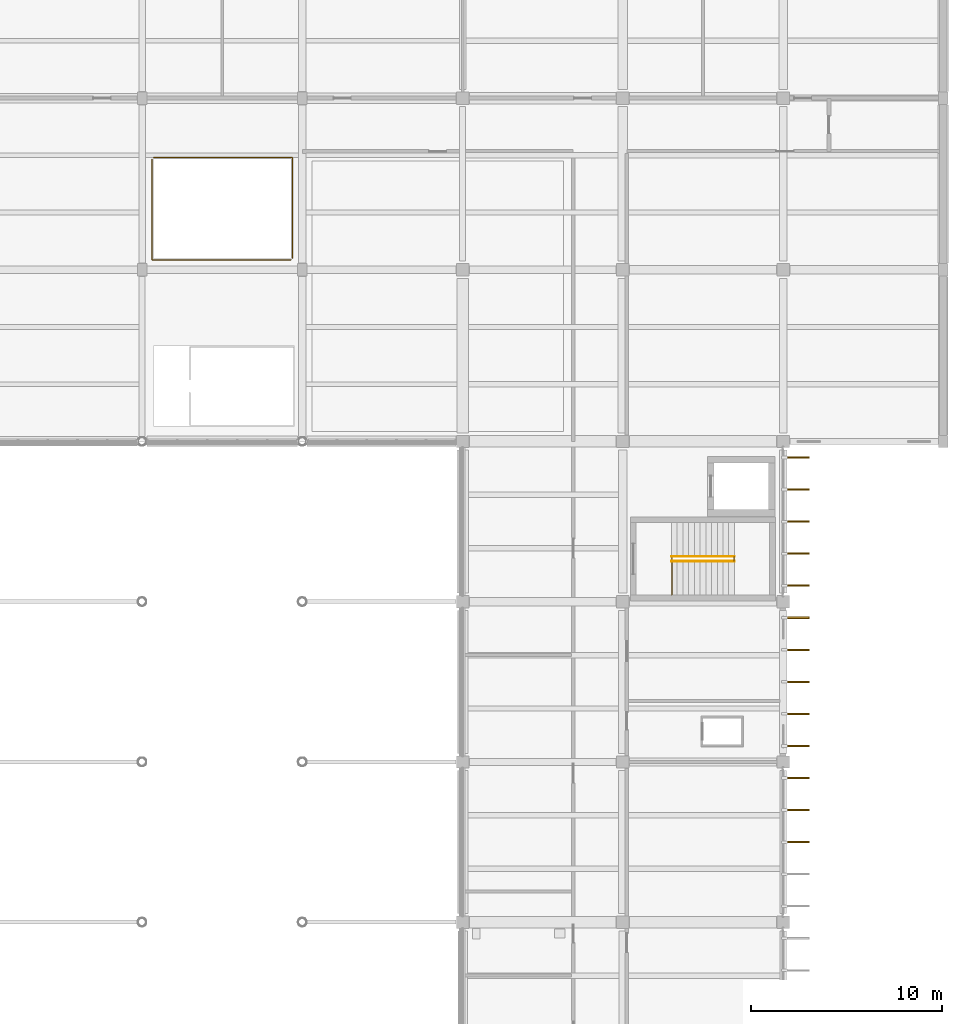
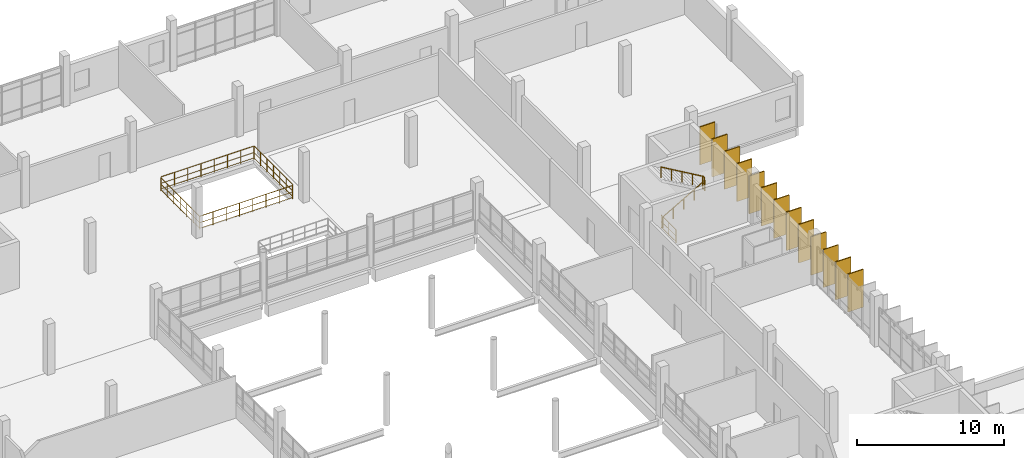
# One storey, part 99 of 101: 13 shading devices, 6 railings.
"""IFC4 building model written with IfcOpenShell, lengths in metres."""

from ifc_helpers import new_model, si_unit, direction, frame, origin, origin_2d, place, context, subcontext, project, spatial, rectangle, circle, extrude, material, material_profile, profile_set, type_object, element, save


model = new_model("IFC4")

# Units and contexts
model_context = context("Model", 3, precision=1e-05, world=origin(), true_north=direction((0.0, 1.0)))
body_context = subcontext(model_context, "Body", "Model", "MODEL_VIEW")
ifc_project = project(units=[si_unit("LENGTHUNIT", "METRE"), si_unit("AREAUNIT", "SQUARE_METRE"), si_unit("VOLUMEUNIT", "CUBIC_METRE"), si_unit("PLANEANGLEUNIT", "RADIAN"), si_unit("MASSUNIT", "GRAM", prefix="KILO")], contexts=[model_context])

# Site, building, storey
site_placement = place(None, origin())
site = spatial("IfcSite", under=ifc_project, at=site_placement, CompositionType="ELEMENT")
building_placement = place(site_placement, origin())
building = spatial("IfcBuilding", under=site, at=building_placement, Name="Vireocrest Preparatory School", CompositionType="ELEMENT")
storey_placement = place(building_placement, frame((0.0, 0.0, 4.800048828125)))
storey = spatial("IfcBuildingStorey", under=building, at=storey_placement, Name="L01", CompositionType="ELEMENT", Elevation=4.800048828125)

# Railings
ifc_material_1 = material(Name="Brushed stainless steel AISI 316", Category="steel")
railing_type_1 = type_object("IfcRailingType", Name="Post-and-Rail Guard Balustrade 1120", PredefinedType="BALUSTRADE", material=ifc_material_1)
railing_1_placement = place(storey_placement, frame((76.1201171875, 100.60009765625, 0.0)))
element("IfcRailing", 1, at=railing_1_placement, inside=storey, type_object=railing_type_1, Name="Terrace and Deck Guard Balustrade GR1 L01 WG_VOID_GUARD_SW", PredefinedType="BALUSTRADE", context=body_context, shape_type="SweptSolid", body=[
    extrude(circle(Radius=0.02392578125, at=origin_2d()), frame((0.0, 0.0, 1.09619140625), z_axis=(0.0, -1.0, 0.0), x_axis=(1.0, 0.0, 0.0)), (0.0, 0.0, 1.0), 5.280029296875),
    extrude(circle(Radius=0.01806640625, at=origin_2d()), frame((0.0, 0.0, 0.56005859375), z_axis=(0.0, -1.0, 0.0), x_axis=(1.0, 0.0, 0.0)), (0.0, 0.0, 1.0), 5.280029296875),
    extrude(circle(Radius=0.01806640625, at=origin_2d()), frame((0.0, 0.0, 0.10009765625), z_axis=(0.0, -1.0, 0.0), x_axis=(1.0, 0.0, 0.0)), (0.0, 0.0, 1.0), 5.280029296875),
    extrude(circle(Radius=0.02392578125, at=origin_2d()), frame((0.0, -5.280029296875, 1.09619140625), z_axis=(1.0, 0.0, 0.0), x_axis=(0.0, 1.0, 0.0)), (0.0, 0.0, 1.0), 7.27978515625),
    extrude(circle(Radius=0.01806640625, at=origin_2d()), frame((0.0, -5.280029296875, 0.56005859375), z_axis=(1.0, 0.0, 0.0), x_axis=(0.0, 1.0, 0.0)), (0.0, 0.0, 1.0), 7.27978515625),
    extrude(circle(Radius=0.01806640625, at=origin_2d()), frame((0.0, -5.280029296875, 0.10009765625), z_axis=(1.0, 0.0, 0.0), x_axis=(0.0, 1.0, 0.0)), (0.0, 0.0, 1.0), 7.27978515625),
    extrude(circle(Radius=0.02099609375, at=origin_2d()), origin(), (0.0, 0.0, 1.0), 1.072021484375),
    extrude(circle(Radius=0.02099609375, at=origin_2d()), frame((0.0, -0.8798828125, 0.0)), (0.0, 0.0, 1.0), 1.072021484375),
    extrude(circle(Radius=0.02099609375, at=origin_2d()), frame((0.0, -1.760009765625, 0.0)), (0.0, 0.0, 1.0), 1.072021484375),
    extrude(circle(Radius=0.02099609375, at=origin_2d()), frame((0.0, -2.64013671875, 0.0)), (0.0, 0.0, 1.0), 1.072021484375),
    extrude(circle(Radius=0.02099609375, at=origin_2d()), frame((0.0, -3.52001953125, 0.0)), (0.0, 0.0, 1.0), 1.072021484375),
    extrude(circle(Radius=0.02099609375, at=origin_2d()), frame((0.0, -4.39990234375, 0.0)), (0.0, 0.0, 1.0), 1.072021484375),
    extrude(circle(Radius=0.02099609375, at=origin_2d()), frame((0.0, -5.280029296875, 0.0)), (0.0, 0.0, 1.0), 1.072021484375),
    extrude(circle(Radius=0.02099609375, at=origin_2d()), frame((1.0400390625, -5.280029296875, 0.0)), (0.0, 0.0, 1.0), 1.072021484375),
    extrude(circle(Radius=0.02099609375, at=origin_2d()), frame((2.079833984375, -5.280029296875, 0.0)), (0.0, 0.0, 1.0), 1.072021484375),
    extrude(circle(Radius=0.02099609375, at=origin_2d()), frame((3.119873046875, -5.280029296875, 0.0)), (0.0, 0.0, 1.0), 1.072021484375),
    extrude(circle(Radius=0.02099609375, at=origin_2d()), frame((4.159912109375, -5.280029296875, 0.0)), (0.0, 0.0, 1.0), 1.072021484375),
    extrude(circle(Radius=0.02099609375, at=origin_2d()), frame((5.199951171875, -5.280029296875, 0.0)), (0.0, 0.0, 1.0), 1.072021484375),
    extrude(circle(Radius=0.02099609375, at=origin_2d()), frame((6.23974609375, -5.280029296875, 0.0)), (0.0, 0.0, 1.0), 1.072021484375),
    extrude(circle(Radius=0.02099609375, at=origin_2d()), frame((7.27978515625, -5.280029296875, 0.0)), (0.0, 0.0, 1.0), 1.072021484375),
])
railing_2_placement = place(storey_placement, frame((83.47998046875, 95.39990234375, 0.0)))
element("IfcRailing", 2, at=railing_2_placement, inside=storey, type_object=railing_type_1, Name="Terrace and Deck Guard Balustrade GR1 L01 WG_VOID_GUARD_NE", PredefinedType="BALUSTRADE", context=body_context, shape_type="SweptSolid", body=[
    extrude(circle(Radius=0.02392578125, at=origin_2d()), frame((0.0, 0.0, 1.09619140625), z_axis=(0.0, 1.0, 0.0), x_axis=(-1.0, 0.0, 0.0)), (0.0, 0.0, 1.0), 5.280029296875),
    extrude(circle(Radius=0.01806640625, at=origin_2d()), frame((0.0, 0.0, 0.56005859375), z_axis=(0.0, 1.0, 0.0), x_axis=(-1.0, 0.0, 0.0)), (0.0, 0.0, 1.0), 5.280029296875),
    extrude(circle(Radius=0.01806640625, at=origin_2d()), frame((0.0, 0.0, 0.10009765625), z_axis=(0.0, 1.0, 0.0), x_axis=(-1.0, 0.0, 0.0)), (0.0, 0.0, 1.0), 5.280029296875),
    extrude(circle(Radius=0.02392578125, at=origin_2d()), frame((0.0, 5.280029296875, 1.09619140625), z_axis=(-1.0, 0.0, 0.0), x_axis=(0.0, -1.0, 0.0)), (0.0, 0.0, 1.0), 7.280029296875),
    extrude(circle(Radius=0.01806640625, at=origin_2d()), frame((0.0, 5.280029296875, 0.56005859375), z_axis=(-1.0, 0.0, 0.0), x_axis=(0.0, -1.0, 0.0)), (0.0, 0.0, 1.0), 7.280029296875),
    extrude(circle(Radius=0.01806640625, at=origin_2d()), frame((0.0, 5.280029296875, 0.10009765625), z_axis=(-1.0, 0.0, 0.0), x_axis=(0.0, -1.0, 0.0)), (0.0, 0.0, 1.0), 7.280029296875),
    extrude(circle(Radius=0.02099609375, at=origin_2d()), origin(), (0.0, 0.0, 1.0), 1.072021484375),
    extrude(circle(Radius=0.02099609375, at=origin_2d()), frame((0.0, 0.8798828125, 0.0)), (0.0, 0.0, 1.0), 1.072021484375),
    extrude(circle(Radius=0.02099609375, at=origin_2d()), frame((0.0, 1.760009765625, 0.0)), (0.0, 0.0, 1.0), 1.072021484375),
    extrude(circle(Radius=0.02099609375, at=origin_2d()), frame((0.0, 2.64013671875, 0.0)), (0.0, 0.0, 1.0), 1.072021484375),
    extrude(circle(Radius=0.02099609375, at=origin_2d()), frame((0.0, 3.52001953125, 0.0)), (0.0, 0.0, 1.0), 1.072021484375),
    extrude(circle(Radius=0.02099609375, at=origin_2d()), frame((0.0, 4.39990234375, 0.0)), (0.0, 0.0, 1.0), 1.072021484375),
    extrude(circle(Radius=0.02099609375, at=origin_2d()), frame((0.0, 5.280029296875, 0.0)), (0.0, 0.0, 1.0), 1.072021484375),
    extrude(circle(Radius=0.02099609375, at=origin_2d()), frame((-1.0400390625, 5.280029296875, 0.0)), (0.0, 0.0, 1.0), 1.072021484375),
    extrude(circle(Radius=0.02099609375, at=origin_2d()), frame((-2.080078125, 5.280029296875, 0.0)), (0.0, 0.0, 1.0), 1.072021484375),
    extrude(circle(Radius=0.02099609375, at=origin_2d()), frame((-3.1201171875, 5.280029296875, 0.0)), (0.0, 0.0, 1.0), 1.072021484375),
    extrude(circle(Radius=0.02099609375, at=origin_2d()), frame((-4.159912109375, 5.280029296875, 0.0)), (0.0, 0.0, 1.0), 1.072021484375),
    extrude(circle(Radius=0.02099609375, at=origin_2d()), frame((-5.199951171875, 5.280029296875, 0.0)), (0.0, 0.0, 1.0), 1.072021484375),
    extrude(circle(Radius=0.02099609375, at=origin_2d()), frame((-6.239990234375, 5.280029296875, 0.0)), (0.0, 0.0, 1.0), 1.072021484375),
    extrude(circle(Radius=0.02099609375, at=origin_2d()), frame((-7.280029296875, 5.280029296875, 0.0)), (0.0, 0.0, 1.0), 1.072021484375),
])
railing_3_placement = place(storey_placement, frame((103.3701171875, 77.75, 0.0)))
element("IfcRailing", 3, at=railing_3_placement, inside=storey, type_object=railing_type_1, Name="Arrival Landing Guard ST4-L00", PredefinedType="BALUSTRADE", context=body_context, shape_type="SweptSolid", body=[
    extrude(circle(Radius=0.02392578125, at=origin_2d()), frame((0.0, 0.0, 1.09619140625), z_axis=(0.0, 1.0, 0.0), x_axis=(-1.0, 0.0, 0.0)), (0.0, 0.0, 1.0), 2.02001953125),
    extrude(circle(Radius=0.01806640625, at=origin_2d()), frame((0.0, 0.0, 0.56005859375), z_axis=(0.0, 1.0, 0.0), x_axis=(-1.0, 0.0, 0.0)), (0.0, 0.0, 1.0), 2.02001953125),
    extrude(circle(Radius=0.01806640625, at=origin_2d()), frame((0.0, 0.0, 0.10009765625), z_axis=(0.0, 1.0, 0.0), x_axis=(-1.0, 0.0, 0.0)), (0.0, 0.0, 1.0), 2.02001953125),
    extrude(circle(Radius=0.02099609375, at=origin_2d()), origin(), (0.0, 0.0, 1.0), 1.072021484375),
    extrude(circle(Radius=0.02099609375, at=origin_2d()), frame((0.0, 1.010009765625, 0.0)), (0.0, 0.0, 1.0), 1.072021484375),
    extrude(circle(Radius=0.02099609375, at=origin_2d()), frame((0.0, 2.02001953125, 0.0)), (0.0, 0.0, 1.0), 1.072021484375),
])
railing_4_placement = place(storey_placement, frame((106.6298828125, 79.530029296875, 2.099853515625)))
element("IfcRailing", 4, at=railing_4_placement, inside=storey, type_object=railing_type_1, Name="Half-Landing Well Guard ST4-L01", PredefinedType="BALUSTRADE", context=body_context, shape_type="SweptSolid", body=[
    extrude(circle(Radius=0.02392578125, at=origin_2d()), frame((0.0, 0.0, 1.09619140625), z_axis=(0.0, 1.0, 0.0), x_axis=(-1.0, 0.0, 0.0)), (0.0, 0.0, 1.0), 0.239990234375),
    extrude(circle(Radius=0.01806640625, at=origin_2d()), frame((0.0, 0.0, 0.56005859375), z_axis=(0.0, 1.0, 0.0), x_axis=(-1.0, 0.0, 0.0)), (0.0, 0.0, 1.0), 0.239990234375),
    extrude(circle(Radius=0.01806640625, at=origin_2d()), frame((0.0, 0.0, 0.10009765625), z_axis=(0.0, 1.0, 0.0), x_axis=(-1.0, 0.0, 0.0)), (0.0, 0.0, 1.0), 0.239990234375),
    extrude(circle(Radius=0.02099609375, at=origin_2d()), origin(), (0.0, 0.0, 1.0), 1.072021484375),
    extrude(circle(Radius=0.02099609375, at=origin_2d()), frame((0.0, 0.239990234375, 0.0)), (0.0, 0.0, 1.0), 1.072021484375),
])
railing_type_2 = type_object("IfcRailingType", Name="Stair Pitch Handrail 900", PredefinedType="HANDRAIL", material=ifc_material_1)
railing_5_placement = place(storey_placement, frame((103.35009765625, 79.530029296875, 0.175048828125)))
element("IfcRailing", 5, at=railing_5_placement, inside=storey, type_object=railing_type_2, Name="Stair Handrail ST4-L01-HR1", PredefinedType="HANDRAIL", context=body_context, shape_type="SweptSolid", body=[
    extrude(circle(Radius=0.02392578125, at=origin_2d()), frame((0.0, 0.0, 0.8759765625), z_axis=(0.863788172461, 0.0, 0.503855131081), x_axis=(0.0, 1.0, 0.0)), (0.0, 0.0, 1.0), 3.820068359375),
    extrude(circle(Radius=0.02099609375, at=origin_2d()), origin(), (0.0, 0.0, 1.0), 0.851806640625),
    extrude(circle(Radius=0.02099609375, at=origin_2d()), frame((0.824951171875, 0.0, 0.481201171875)), (0.0, 0.0, 1.0), 0.851806640625),
    extrude(circle(Radius=0.02099609375, at=origin_2d()), frame((1.64990234375, 0.0, 0.96240234375)), (0.0, 0.0, 1.0), 0.851806640625),
    extrude(circle(Radius=0.02099609375, at=origin_2d()), frame((2.474853515625, 0.0, 1.443603515625)), (0.0, 0.0, 1.0), 0.851806640625),
    extrude(circle(Radius=0.02099609375, at=origin_2d()), frame((3.2998046875, 0.0, 1.9248046875)), (0.0, 0.0, 1.0), 0.851806640625),
])
railing_6_placement = place(storey_placement, frame((106.64990234375, 79.77001953125, 2.27490234375)))
element("IfcRailing", 6, at=railing_6_placement, inside=storey, type_object=railing_type_2, Name="Stair Handrail ST4-L01-HR2", PredefinedType="HANDRAIL", context=body_context, shape_type="SweptSolid", body=[
    extrude(circle(Radius=0.02392578125, at=origin_2d()), frame((0.0, 0.0, 0.8759765625), z_axis=(-0.863760357493, 0.0, 0.503902812876), x_axis=(0.0, -1.0, 0.0)), (0.0, 0.0, 1.0), 3.8203125),
    extrude(circle(Radius=0.02099609375, at=origin_2d()), origin(), (0.0, 0.0, 1.0), 0.851806640625),
    extrude(circle(Radius=0.02099609375, at=origin_2d()), frame((-0.824951171875, 0.0, 0.481201171875)), (0.0, 0.0, 1.0), 0.851806640625),
    extrude(circle(Radius=0.02099609375, at=origin_2d()), frame((-1.64990234375, 0.0, 0.96240234375)), (0.0, 0.0, 1.0), 0.851806640625),
    extrude(circle(Radius=0.02099609375, at=origin_2d()), frame((-2.474853515625, 0.0, 1.44384765625)), (0.0, 0.0, 1.0), 0.851806640625),
    extrude(circle(Radius=0.02099609375, at=origin_2d()), frame((-3.2998046875, 0.0, 1.925048828125)), (0.0, 0.0, 1.0), 0.851806640625),
])

# Shading devices
ifc_material_2 = material(Name="Warm anodised aluminium EN AW-6063-T6", Category="aluminium")
ifc_material_profile = material_profile(ifc_material_2, rectangle(XDim=0.080078125, YDim=1.199951171875, at=origin_2d()), Name="FIN 80x1200")
ifc_profile_set = profile_set([ifc_material_profile], Name="Warm anodised aluminium EN AW-6063-T6")
shading_device_type = type_object("IfcShadingDeviceType", Name="Vertical Anodised Aluminium Solar Fin 1200", PredefinedType="USERDEFINED", material=ifc_profile_set)
for number, where, z_axis, x_axis, name in (
    (7, (109.97998046875, 64.800048828125, 0.02001953125), (0.0, 0.0, 1.0), (0.0, -1.0, 0.0), "Vertical Solar Fin FN1 L01-9-3"),
    (8, (109.97998046875, 66.47998046875, 0.02001953125), (0.0, 0.0, 1.0), (0.0, -1.0, 0.0), "Vertical Solar Fin FN1 L01-9-4"),
    (9, (109.97998046875, 68.159912109375, 0.02001953125), (0.0, 0.0, 1.0), (0.0, -1.0, 0.0), "Vertical Solar Fin FN1 L01-9-5"),
):
    element("IfcShadingDevice", number, at=place(storey_placement, frame(where, z_axis=z_axis, x_axis=x_axis)), inside=storey, type_object=shading_device_type, Name=name, ObjectType="FIN", PredefinedType="USERDEFINED", context=body_context, shape_type="SweptSolid", body=[
        extrude(rectangle(XDim=0.080078125, YDim=1.199951171875, at=origin_2d()), origin(), (0.0, 0.0, 1.0), 3.139892578125),
    ])
for number, where, z_axis, x_axis, name in (
    (10, (109.97998046875, 69.840087890625, 0.02001953125), (0.0, 0.0, 1.0), (0.0, -1.0, 0.0), "Vertical Solar Fin FN1 L01-10-1"),
    (11, (109.97998046875, 71.52001953125, 0.02001953125), (0.0, 0.0, 1.0), (0.0, -1.0, 0.0), "Vertical Solar Fin FN1 L01-10-2"),
    (12, (109.97998046875, 73.199951171875, 0.02001953125), (0.0, 0.0, 1.0), (0.0, -1.0, 0.0), "Vertical Solar Fin FN1 L01-10-3"),
    (13, (109.97998046875, 74.8798828125, 0.02001953125), (0.0, 0.0, 1.0), (0.0, -1.0, 0.0), "Vertical Solar Fin FN1 L01-10-4"),
    (14, (109.97998046875, 76.56005859375, 0.02001953125), (0.0, 0.0, 1.0), (0.0, -1.0, 0.0), "Vertical Solar Fin FN1 L01-10-5"),
):
    element("IfcShadingDevice", number, at=place(storey_placement, frame(where, z_axis=z_axis, x_axis=x_axis)), inside=storey, type_object=shading_device_type, Name=name, ObjectType="FIN", PredefinedType="USERDEFINED", context=body_context, shape_type="SweptSolid", body=[
        extrude(rectangle(XDim=0.080078125, YDim=1.199951171875, at=origin_2d()), origin(), (0.0, 0.0, 1.0), 3.18994140625),
    ])
for number, where, z_axis, x_axis, name in (
    (15, (109.97998046875, 78.239990234375, 0.02001953125), (0.0, 0.0, 1.0), (0.0, -1.0, 0.0), "Vertical Solar Fin FN1 L01-11-1"),
    (16, (109.97998046875, 79.919921875, 0.02001953125), (0.0, 0.0, 1.0), (0.0, -1.0, 0.0), "Vertical Solar Fin FN1 L01-11-2"),
    (17, (109.97998046875, 81.60009765625, 0.02001953125), (0.0, 0.0, 1.0), (0.0, -1.0, 0.0), "Vertical Solar Fin FN1 L01-11-3"),
    (18, (109.97998046875, 83.280029296875, 0.02001953125), (0.0, 0.0, 1.0), (0.0, -1.0, 0.0), "Vertical Solar Fin FN1 L01-11-4"),
    (19, (109.97998046875, 84.9599609375, 0.02001953125), (0.0, 0.0, 1.0), (0.0, -1.0, 0.0), "Vertical Solar Fin FN1 L01-11-5"),
):
    element("IfcShadingDevice", number, at=place(storey_placement, frame(where, z_axis=z_axis, x_axis=x_axis)), inside=storey, type_object=shading_device_type, Name=name, ObjectType="FIN", PredefinedType="USERDEFINED", context=body_context, shape_type="SweptSolid", body=[
        extrude(rectangle(XDim=0.080078125, YDim=1.199951171875, at=origin_2d()), origin(), (0.0, 0.0, 1.0), 3.139892578125),
    ])

save(model, "model.ifc")
